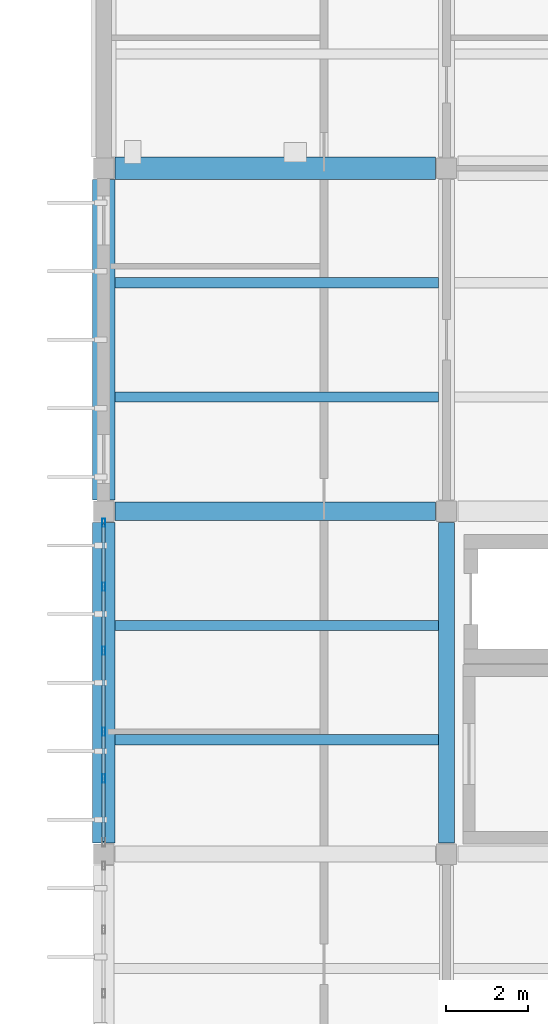
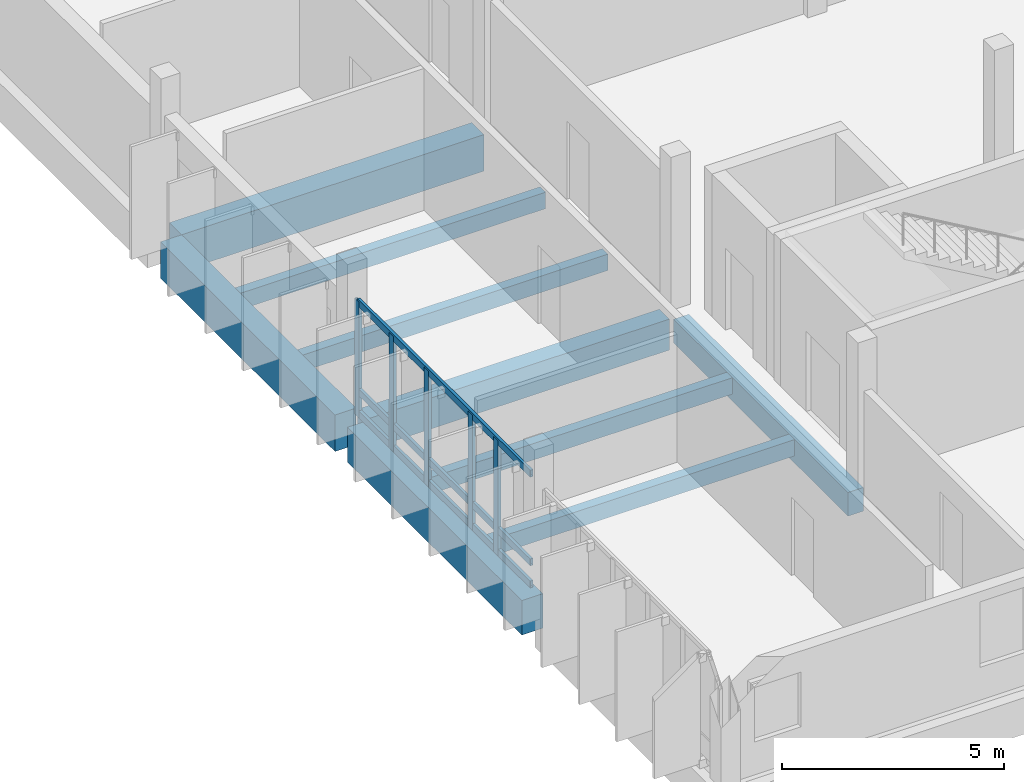
# One storey, part 5 of 107: 9 beams, 8 members, 1 element without a shape of its own.
"""IFC4 building model written with IfcOpenShell, lengths in metres."""

import ifcopenshell
import ifcopenshell.guid

model = None  # the IFC model being written
_history = None  # IfcOwnerHistory: only IFC2X3 demands one
_inside = {}  # id of a spatial element -> (the spatial element, [elements in it])
_under = {}  # id of a project, library or spatial element -> (it, [spatial elements below it])
_declared = {}  # id of a project -> (the project, [libraries it declares])
_typed = {}  # id of a type object -> (the type object, [elements of that type])
_made_of = {}  # id of a material, layer set ... -> (it, [elements and type objects made of it])


def new_model(schema):
    """Start an empty IFC model of exactly this schema.

    Asked for "IFC4X3", IfcOpenShell would pick the latest addendum, in which some entities
    have other attributes; the version numbers below select the first issue.
    IFC2X3 requires an IfcOwnerHistory on every rooted entity: one is made here for all.
    """
    global model, _history
    if schema == "IFC4X3":
        model = ifcopenshell.file(schema_version=(4, 3, 0, 0))
    else:
        model = ifcopenshell.file(schema=schema)
    _inside.clear()
    _under.clear()
    _declared.clear()
    _typed.clear()
    _made_of.clear()
    _history = None
    if model.schema == "IFC2X3":
        org = make("IfcOrganization", Name="unknown")
        user = make(
            "IfcPersonAndOrganization",
            ThePerson=make("IfcPerson", FamilyName="unknown"),
            TheOrganization=org,
        )
        app = make(
            "IfcApplication",
            ApplicationDeveloper=org,
            Version="unknown",
            ApplicationFullName="unknown",
            ApplicationIdentifier="unknown",
        )
        _history = make(
            "IfcOwnerHistory",
            OwningUser=user,
            OwningApplication=app,
            ChangeAction="ADDED",
            CreationDate=0,
        )
    return model


def make(cls, **values):
    """One entity of the class cls with the attributes given. An attribute that is None is left unset."""
    return model.create_entity(
        cls, **{name: value for name, value in values.items() if value is not None}
    )


def rooted(cls, **values):
    """An entity with a GlobalId (a new one), such as an element, a storey or a relation."""
    return make(cls, GlobalId=ifcopenshell.guid.new(), OwnerHistory=_history, **values)


def si_unit(unit_type, name, prefix=None):
    """IfcSIUnit, for example si_unit("LENGTHUNIT", "METRE", prefix="MILLI")."""
    return make("IfcSIUnit", UnitType=unit_type, Prefix=prefix, Name=name)


def assignment(units):
    """IfcUnitAssignment: the units of a project."""
    return None if units is None else make("IfcUnitAssignment", Units=units)


def point(xyz):
    """IfcCartesianPoint."""
    return None if xyz is None else make("IfcCartesianPoint", Coordinates=xyz)


def direction(xyz):
    """IfcDirection."""
    return None if xyz is None else make("IfcDirection", DirectionRatios=xyz)


def frame(location, z_axis=None, x_axis=None):
    """IfcAxis2Placement3D, a coordinate frame: its origin and axes. An axis left out is left unset."""
    return make(
        "IfcAxis2Placement3D",
        Location=point(location),
        Axis=direction(z_axis),
        RefDirection=direction(x_axis),
    )


def frame_2d(location, x_axis=None):
    """IfcAxis2Placement2D, a coordinate frame in the plane: its origin and x axis."""
    return make(
        "IfcAxis2Placement2D", Location=point(location), RefDirection=direction(x_axis)
    )


def origin():
    """The frame at (0, 0, 0) with its axes left unset."""
    return frame((0.0, 0.0, 0.0))


def origin_2d():
    """The frame at (0, 0) in the plane with its x axis left unset."""
    return frame_2d((0.0, 0.0))


def place(relative_to, where):
    """IfcLocalPlacement: puts the frame where relative to a parent placement (None: the world)."""
    return make(
        "IfcLocalPlacement", PlacementRelTo=relative_to, RelativePlacement=where
    )


def context(
    kind, dimensions, precision=None, world=None, true_north=None, identifier=None
):
    """IfcGeometricRepresentationContext, for example the 3D "Model" context."""
    return make(
        "IfcGeometricRepresentationContext",
        ContextIdentifier=identifier,
        ContextType=kind,
        CoordinateSpaceDimension=dimensions,
        Precision=precision,
        WorldCoordinateSystem=world,
        TrueNorth=true_north,
    )


def subcontext(parent, identifier, kind, view, scale=None):
    """IfcGeometricRepresentationSubContext, for example "Body" below "Model"."""
    return make(
        "IfcGeometricRepresentationSubContext",
        ContextIdentifier=identifier,
        ContextType=kind,
        ParentContext=parent,
        TargetScale=scale,
        TargetView=view,
    )


def project(units=None, contexts=None):
    """IfcProject with its units and contexts."""
    return rooted(
        "IfcProject",
        Name="project",
        RepresentationContexts=contexts,
        UnitsInContext=assignment(units),
    )


def spatial(cls, under=None, at=None, **own):
    """A site, building, storey or space (cls), placed at a placement, below another one or the project."""
    s = rooted(cls, ObjectPlacement=at, **own)
    if under is not None:
        _under.setdefault(under.id(), (under, []))[1].append(s)
    return s


def profile(cls, at=None, kind="AREA", **sizes):
    """A parametric profile (cls). Its sizes go by their IFC names, for example OverallWidth=200.0."""
    return make(cls, ProfileType=kind, Position=at, **sizes)


def rectangle(**sizes):
    """IfcRectangleProfileDef."""
    return profile("IfcRectangleProfileDef", **sizes)


def hollow_rectangle(**sizes):
    """IfcRectangleHollowProfileDef."""
    return profile("IfcRectangleHollowProfileDef", **sizes)


def extrude(swept, where, along, depth):
    """IfcExtrudedAreaSolid: the profile swept, set in the frame where, extruded along a direction by depth."""
    return make(
        "IfcExtrudedAreaSolid",
        SweptArea=swept,
        Position=where,
        ExtrudedDirection=direction(along),
        Depth=depth,
    )


def shape(context_of_items, identifier, shape_type, items):
    """IfcShapeRepresentation: the items that make up one representation, for example the "Body"."""
    return make(
        "IfcShapeRepresentation",
        ContextOfItems=context_of_items,
        RepresentationIdentifier=identifier,
        RepresentationType=shape_type,
        Items=items,
    )


def material(Name=None, Category=None):
    """IfcMaterial."""
    return make("IfcMaterial", Name=Name, Category=Category)


def layer(
    of_material, thickness, ventilated=None, Name=None, Category=None, Priority=None
):
    """IfcMaterialLayer: one layer of a wall or slab, of a material (None: an air gap)."""
    return make(
        "IfcMaterialLayer",
        Material=of_material,
        LayerThickness=thickness,
        IsVentilated=ventilated,
        Name=Name,
        Category=Category,
        Priority=Priority,
    )


def layer_set(layers, Name=None):
    """IfcMaterialLayerSet."""
    return make("IfcMaterialLayerSet", MaterialLayers=layers, LayerSetName=Name)


def material_profile(
    of_material, cross_section, Name=None, Category=None, Priority=None
):
    """IfcMaterialProfile: a cross section and its material."""
    return make(
        "IfcMaterialProfile",
        Name=Name,
        Material=of_material,
        Profile=cross_section,
        Priority=Priority,
        Category=Category,
    )


def profile_set(profiles, Name=None, composite=None):
    """IfcMaterialProfileSet."""
    return make(
        "IfcMaterialProfileSet",
        Name=Name,
        MaterialProfiles=profiles,
        CompositeProfile=composite,
    )


def made_of(thing, what):
    """Note that an element or type object is made of a material, layer set ...; save() writes the relation."""
    if what is not None:
        _made_of.setdefault(what.id(), (what, []))[1].append(thing)
    return thing


def type_object(cls, material=None, **own):
    """A type object (cls), such as IfcWallType, which elements share."""
    return made_of(rooted(cls, **own), material)


def element(
    cls,
    number,
    at=None,
    inside=None,
    cuts=None,
    type_object=None,
    material=None,
    context=None,
    identifier="Body",
    shape_type=None,
    held_by="IfcProductDefinitionShape",
    body=None,
    shapes=None,
    **own,
):
    """One element of the class cls, such as IfcWall. Its Tag is "e" and its number.

    at: its placement. inside: the storey or other place that contains it. cuts: it is an
    opening in that element (IfcRelVoidsElement). A single representation is given by context,
    identifier, shape_type and body (its items); several are given by shapes. held_by: the class
    of the entity that holds the representations. save() writes the other relations.
    """
    e = rooted(cls, Tag="e%d" % number, ObjectPlacement=at, **own)
    if body is not None:
        shapes = [shape(context, identifier, shape_type, body)]
    if shapes is not None:
        e.Representation = make(held_by, Representations=shapes)
    if inside is not None:
        _inside.setdefault(inside.id(), (inside, []))[1].append(e)
    if cuts is not None:
        rooted(
            "IfcRelVoidsElement", RelatingBuildingElement=cuts, RelatedOpeningElement=e
        )
    if type_object is not None:
        _typed.setdefault(type_object.id(), (type_object, []))[1].append(e)
    return made_of(e, material)


def aggregate(whole, parts):
    """IfcRelAggregates: a whole, such as a stair, and the parts it consists of."""
    return rooted("IfcRelAggregates", RelatingObject=whole, RelatedObjects=parts)


def save(model, path):
    """Write the relations noted so far, then the file.

    IfcRelAggregates (storeys below a building ...), IfcRelContainedInSpatialStructure (elements
    in a storey), IfcRelDefinesByType, IfcRelAssociatesMaterial and IfcRelDeclares: one each for
    every whole, place, type object, material and project.
    """
    for whole, parts in _under.values():
        aggregate(whole, parts)
    for where, things in _inside.values():
        rooted(
            "IfcRelContainedInSpatialStructure",
            RelatedElements=things,
            RelatingStructure=where,
        )
    for kind, things in _typed.values():
        rooted("IfcRelDefinesByType", RelatedObjects=things, RelatingType=kind)
    for what, things in _made_of.values():
        rooted("IfcRelAssociatesMaterial", RelatedObjects=things, RelatingMaterial=what)
    for by, libraries in _declared.values():
        rooted("IfcRelDeclares", RelatingContext=by, RelatedDefinitions=libraries)
    model.write(path)


model = new_model("IFC4")

# Units and contexts
model_context = context("Model", 3, precision=1e-05, world=origin(), true_north=direction((0.0, 1.0)))
body_context = subcontext(model_context, "Body", "Model", "MODEL_VIEW")
ifc_project = project(units=[si_unit("LENGTHUNIT", "METRE"), si_unit("AREAUNIT", "SQUARE_METRE"), si_unit("VOLUMEUNIT", "CUBIC_METRE"), si_unit("PLANEANGLEUNIT", "RADIAN"), si_unit("MASSUNIT", "GRAM", prefix="KILO")], contexts=[model_context])

# Site, building, storey
site_placement = place(None, origin())
site = spatial("IfcSite", under=ifc_project, at=site_placement, CompositionType="ELEMENT")
building_placement = place(site_placement, origin())
building = spatial("IfcBuilding", under=site, at=building_placement, Name="Vireocrest Preparatory School", CompositionType="ELEMENT")
storey_placement = place(building_placement, frame((0.0, 0.0, 13.199951171875)))
storey = spatial("IfcBuildingStorey", under=building, at=storey_placement, Name="L03", CompositionType="ELEMENT", Elevation=13.199951171875)

# Curtain wall, members
ifc_material_1 = material(Name="Thermally broken aluminium EN AW-6063-T6", Category="aluminium")
ifc_layer = layer(ifc_material_1, 0.179931640625)
ifc_layer_set = layer_set([ifc_layer], Name="Thermally broken aluminium EN AW-6063-T6")
curtain_wall_type = type_object("IfcCurtainWallType", Name="Teaching Fin Curtain Wall 8400x4200", PredefinedType="USERDEFINED", material=ifc_layer_set)
curtain_wall_placement = place(storey_placement, origin())
curtain_wall = element("IfcCurtainWall", 1, at=curtain_wall_placement, inside=storey, type_object=curtain_wall_type, Name="Curtain Wall CW03 CW_L03_CW03_0420_0440_132", ObjectType="CURTAIN WALL", PredefinedType="USERDEFINED")
ifc_material_profile_1 = material_profile(ifc_material_1, hollow_rectangle(XDim=0.074951171875, YDim=0.199951171875, WallThickness=0.0048828125, at=origin_2d()), Name="ALU 75x200x5")
ifc_profile_set_1 = profile_set([ifc_material_profile_1], Name="Thermally broken aluminium EN AW-6063-T6")
member_type_1 = type_object("IfcMemberType", Name="CW Mullion 75x200x5", PredefinedType="MULLION", material=ifc_profile_set_1)
member_1_placement = place(storey_placement, frame((42.0, 45.65087890625, 0.0), z_axis=(0.0, 0.0, 1.0), x_axis=(1.0, 0.0, 0.0)))
member_1 = element("IfcMember", 2, at=member_1_placement, type_object=member_type_1, Name="CW Mullion ML3 CW_L03_CW03_0420_0440_132-2", PredefinedType="MULLION", context=body_context, shape_type="SweptSolid", body=[
    extrude(hollow_rectangle(XDim=0.074951171875, YDim=0.199951171875, WallThickness=0.0048828125, at=origin_2d()), origin(), (0.0, 0.0, 1.0), 3.175048828125),
])
member_2_placement = place(storey_placement, frame((42.0, 46.800048828125, 0.0), z_axis=(0.0, 0.0, 1.0), x_axis=(1.0, 0.0, 0.0)))
member_2 = element("IfcMember", 3, at=member_2_placement, type_object=member_type_1, Name="CW Mullion ML3 CW_L03_CW03_0420_0440_132-3", PredefinedType="MULLION", context=body_context, shape_type="SweptSolid", body=[
    extrude(hollow_rectangle(XDim=0.074951171875, YDim=0.199951171875, WallThickness=0.0048828125, at=origin_2d()), origin(), (0.0, 0.0, 1.0), 3.175048828125),
])
member_3_placement = place(storey_placement, frame((42.0, 48.782958984375, 0.0), z_axis=(0.0, 0.0, 1.0), x_axis=(1.0, 0.0, 0.0)))
member_3 = element("IfcMember", 4, at=member_3_placement, type_object=member_type_1, Name="CW Mullion ML3 CW_L03_CW03_0420_0440_132-4", PredefinedType="MULLION", context=body_context, shape_type="SweptSolid", body=[
    extrude(hollow_rectangle(XDim=0.074951171875, YDim=0.199951171875, WallThickness=0.0048828125, at=origin_2d()), origin(), (0.0, 0.0, 1.0), 3.175048828125),
])
member_4_placement = place(storey_placement, frame((42.0, 50.34912109375, 0.0), z_axis=(0.0, 0.0, 1.0), x_axis=(1.0, 0.0, 0.0)))
member_4 = element("IfcMember", 5, at=member_4_placement, type_object=member_type_1, Name="CW Mullion ML3 CW_L03_CW03_0420_0440_132-5", PredefinedType="MULLION", context=body_context, shape_type="SweptSolid", body=[
    extrude(hollow_rectangle(XDim=0.074951171875, YDim=0.199951171875, WallThickness=0.0048828125, at=origin_2d()), origin(), (0.0, 0.0, 1.0), 3.175048828125),
])
member_5_placement = place(storey_placement, frame((42.0, 51.9150390625, 0.0), z_axis=(0.0, 0.0, 1.0), x_axis=(1.0, 0.0, 0.0)))
member_5 = element("IfcMember", 6, at=member_5_placement, type_object=member_type_1, Name="CW Mullion ML3 CW_L03_CW03_0420_0440_132-6", PredefinedType="MULLION", context=body_context, shape_type="SweptSolid", body=[
    extrude(hollow_rectangle(XDim=0.074951171875, YDim=0.199951171875, WallThickness=0.0048828125, at=origin_2d()), origin(), (0.0, 0.0, 1.0), 3.175048828125),
])
ifc_material_profile_2 = material_profile(ifc_material_1, hollow_rectangle(XDim=0.074951171875, YDim=0.18994140625, WallThickness=0.00390625, at=origin_2d()), Name="ALU 75x190x4")
ifc_profile_set_2 = profile_set([ifc_material_profile_2], Name="Thermally broken aluminium EN AW-6063-T6")
member_type_2 = type_object("IfcMemberType", Name="CW Transom 75x190x4", PredefinedType="USERDEFINED", material=ifc_profile_set_2)
member_6_placement = place(storey_placement, frame((42.0, 44.110107421875, 0.094970703125), z_axis=(0.0, 1.0, 0.0), x_axis=(-1.0, 0.0, 0.0)))
member_6 = element("IfcMember", 7, at=member_6_placement, type_object=member_type_2, Name="CW Transom TR3 CW_L03_CW03_0420_0440_132-1", ObjectType="TRANSOM", PredefinedType="USERDEFINED", context=body_context, shape_type="SweptSolid", body=[
    extrude(hollow_rectangle(XDim=0.074951171875, YDim=0.18994140625, WallThickness=0.00390625, at=origin_2d()), origin(), (0.0, 0.0, 1.0), 7.77978515625),
])
member_7_placement = place(storey_placement, frame((42.0, 44.110107421875, 0.699951171875), z_axis=(0.0, 1.0, 0.0), x_axis=(-1.0, 0.0, 0.0)))
member_7 = element("IfcMember", 8, at=member_7_placement, type_object=member_type_2, Name="CW Transom TR3 CW_L03_CW03_0420_0440_132-2", ObjectType="TRANSOM", PredefinedType="USERDEFINED", context=body_context, shape_type="SweptSolid", body=[
    extrude(hollow_rectangle(XDim=0.074951171875, YDim=0.18994140625, WallThickness=0.00390625, at=origin_2d()), origin(), (0.0, 0.0, 1.0), 7.77978515625),
])
member_8_placement = place(storey_placement, frame((42.0, 44.110107421875, 3.135009765625), z_axis=(0.0, 1.0, 0.0), x_axis=(-1.0, 0.0, 0.0)))
member_8 = element("IfcMember", 9, at=member_8_placement, type_object=member_type_2, Name="CW Transom TR3 CW_L03_CW03_0420_0440_132-3", ObjectType="TRANSOM", PredefinedType="USERDEFINED", context=body_context, shape_type="SweptSolid", body=[
    extrude(hollow_rectangle(XDim=0.074951171875, YDim=0.18994140625, WallThickness=0.00390625, at=origin_2d()), origin(), (0.0, 0.0, 1.0), 7.77978515625),
])
aggregate(curtain_wall, [member_1, member_2, member_3, member_4, member_5, member_6, member_7, member_8])

# Beams
ifc_material_2 = material(Name="Concrete 40 MPa", Category="concrete")
ifc_material_profile_3 = material_profile(ifc_material_2, rectangle(XDim=0.550048828125, YDim=1.0, at=origin_2d()), Name="RC 550x1000")
ifc_profile_set_3 = profile_set([ifc_material_profile_3], Name="Concrete 40 MPa")
beam_type_1 = type_object("IfcBeamType", Name="RC Core Coupling Beam 550x1000", PredefinedType="BEAM", material=ifc_profile_set_3)
beam_1_placement = place(storey_placement, frame((42.27490234375, 60.60009765625, -0.739990234375), z_axis=(1.0, 0.0, 0.0), x_axis=(0.0, 1.0, 0.0)))
element("IfcBeam", 10, at=beam_1_placement, inside=storey, type_object=beam_type_1, Name="Primary Girder B18 L03-1060", PredefinedType="BEAM", context=body_context, shape_type="SweptSolid", body=[
    extrude(rectangle(XDim=0.550048828125, YDim=1.0, at=origin_2d()), origin(), (0.0, 0.0, 1.0), 7.85009765625),
])
beam_2_placement = place(storey_placement, frame((42.0, 52.47509765625, -0.739990234375), z_axis=(0.0, 1.0, 0.0), x_axis=(-1.0, 0.0, 0.0)))
element("IfcBeam", 11, at=beam_2_placement, inside=storey, type_object=beam_type_1, Name="Primary Girder B18 L03-1109", PredefinedType="BEAM", context=body_context, shape_type="SweptSolid", body=[
    extrude(rectangle(XDim=0.550048828125, YDim=1.0, at=origin_2d()), origin(), (0.0, 0.0, 1.0), 7.849853515625),
])
ifc_material_profile_4 = material_profile(ifc_material_2, rectangle(XDim=0.449951171875, YDim=0.85009765625, at=origin_2d()), Name="RC 450x850")
ifc_profile_set_4 = profile_set([ifc_material_profile_4], Name="Concrete 40 MPa")
beam_type_2 = type_object("IfcBeamType", Name="RC Heavy Floor Girder 450x850", PredefinedType="BEAM", material=ifc_profile_set_4)
beam_3_placement = place(storey_placement, frame((42.27490234375, 52.199951171875, -0.6650390625), z_axis=(1.0, 0.0, 0.0), x_axis=(0.0, 1.0, 0.0)))
element("IfcBeam", 12, at=beam_3_placement, inside=storey, type_object=beam_type_2, Name="Primary Girder B13 L03-1055", PredefinedType="BEAM", context=body_context, shape_type="SweptSolid", body=[
    extrude(rectangle(XDim=0.449951171875, YDim=0.85009765625, at=origin_2d()), origin(), (0.0, 0.0, 1.0), 7.85009765625),
])
ifc_material_profile_5 = material_profile(ifc_material_2, rectangle(XDim=0.39990234375, YDim=0.64990234375, at=origin_2d()), Name="RC 400x650")
ifc_profile_set_5 = profile_set([ifc_material_profile_5], Name="Concrete 40 MPa")
beam_type_3 = type_object("IfcBeamType", Name="RC Laboratory Girder 400x650", PredefinedType="BEAM", material=ifc_profile_set_5)
beam_4_placement = place(storey_placement, frame((50.39990234375, 44.074951171875, -0.56494140625), z_axis=(0.0, 1.0, 0.0), x_axis=(-1.0, 0.0, 0.0)))
element("IfcBeam", 13, at=beam_4_placement, inside=storey, type_object=beam_type_3, Name="Primary Girder B07 L03-1116", PredefinedType="BEAM", context=body_context, shape_type="SweptSolid", body=[
    extrude(rectangle(XDim=0.39990234375, YDim=0.64990234375, at=origin_2d()), origin(), (0.0, 0.0, 1.0), 7.85009765625),
])
ifc_material_profile_6 = material_profile(ifc_material_2, rectangle(XDim=0.25, YDim=0.449951171875, at=origin_2d()), Name="RC 250x450")
ifc_profile_set_6 = profile_set([ifc_material_profile_6], Name="Concrete 40 MPa")
beam_type_4 = type_object("IfcBeamType", Name="RC Secondary Floor Joist 250x450", PredefinedType="JOIST", material=ifc_profile_set_6)
for number, where, z_axis, x_axis, name in (
    (14, (42.27490234375, 46.60009765625, -0.46484375), (1.0, 0.0, 0.0), (0.0, 1.0, 0.0), "Secondary Joist J01 L03-1185"),
    (15, (42.27490234375, 49.39990234375, -0.46484375), (1.0, 0.0, 0.0), (0.0, 1.0, 0.0), "Secondary Joist J01 L03-1186"),
    (16, (42.27490234375, 55.0, -0.46484375), (1.0, 0.0, 0.0), (0.0, 1.0, 0.0), "Secondary Joist J01 L03-1187"),
    (17, (42.27490234375, 57.800048828125, -0.46484375), (1.0, 0.0, 0.0), (0.0, 1.0, 0.0), "Secondary Joist J01 L03-1188"),
):
    element("IfcBeam", number, at=place(storey_placement, frame(where, z_axis=z_axis, x_axis=x_axis)), inside=storey, type_object=beam_type_4, Name=name, PredefinedType="JOIST", context=body_context, shape_type="SweptSolid", body=[
        extrude(rectangle(XDim=0.25, YDim=0.449951171875, at=origin_2d()), origin(), (0.0, 0.0, 1.0), 7.925048828125),
    ])
ifc_material_profile_7 = material_profile(ifc_material_2, rectangle(XDim=0.550048828125, YDim=0.949951171875, at=origin_2d()), Name="RC 550x950")
ifc_profile_set_7 = profile_set([ifc_material_profile_7], Name="Concrete 40 MPa")
beam_type_5 = type_object("IfcBeamType", Name="RC Setback Edge Girder 550x950", PredefinedType="BEAM", material=ifc_profile_set_7)
beam_5_placement = place(storey_placement, frame((42.0, 44.074951171875, -0.71484375), z_axis=(0.0, 1.0, 0.0), x_axis=(-1.0, 0.0, 0.0)))
element("IfcBeam", 18, at=beam_5_placement, inside=storey, type_object=beam_type_5, Name="Primary Girder B17 L03-1108", PredefinedType="BEAM", context=body_context, shape_type="SweptSolid", body=[
    extrude(rectangle(XDim=0.550048828125, YDim=0.949951171875, at=origin_2d()), origin(), (0.0, 0.0, 1.0), 7.85009765625),
])

save(model, "model.ifc")
